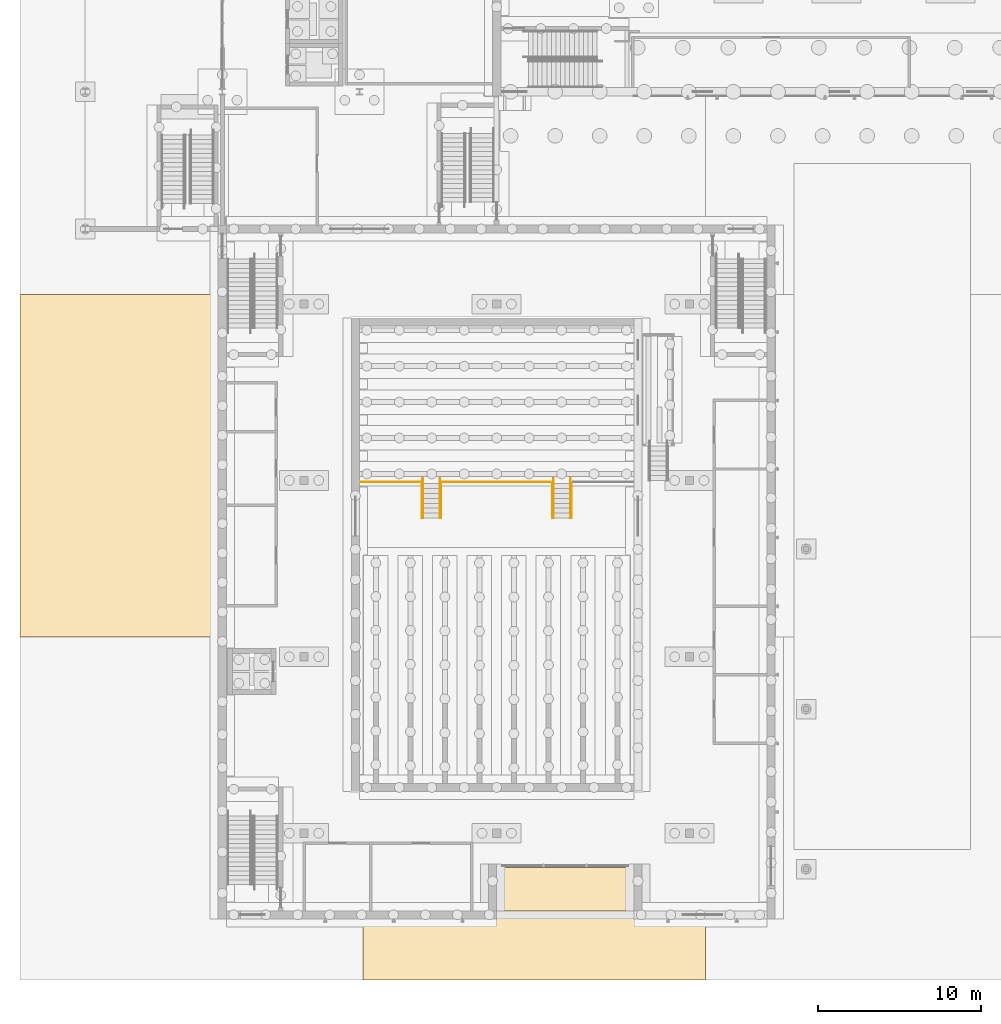
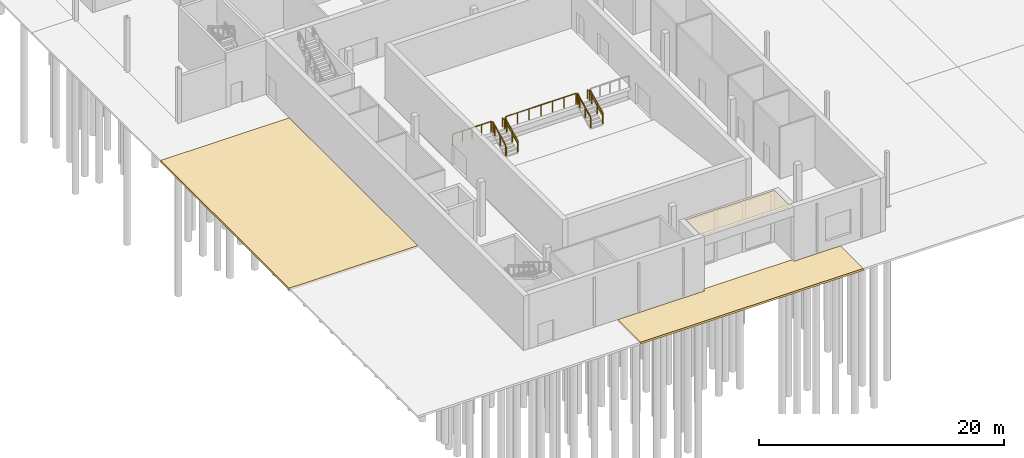
# One storey, part 95 of 127: 10 railings, 3 coverings.
"""IFC4 building model written with IfcOpenShell, lengths in metres."""

from ifc_helpers import new_model, si_unit, direction, frame, origin, origin_2d, place, context, subcontext, project, spatial, polyline, circle, outline, extrude, material, layer, layer_set, type_object, element, save


model = new_model("IFC4")

# Units and contexts
model_context = context("Model", 3, precision=1e-05, world=origin(), true_north=direction((0.0, 1.0)))
body_context = subcontext(model_context, "Body", "Model", "MODEL_VIEW")
ifc_project = project(units=[si_unit("LENGTHUNIT", "METRE"), si_unit("AREAUNIT", "SQUARE_METRE"), si_unit("VOLUMEUNIT", "CUBIC_METRE"), si_unit("PLANEANGLEUNIT", "RADIAN"), si_unit("MASSUNIT", "GRAM", prefix="KILO")], contexts=[model_context])

# Site, building, storey
site_placement = place(None, origin())
site = spatial("IfcSite", under=ifc_project, at=site_placement, CompositionType="ELEMENT")
building_placement = place(site_placement, origin())
building = spatial("IfcBuilding", under=site, at=building_placement, Name="Ljudholm Concert House", CompositionType="ELEMENT")
storey_placement = place(building_placement, origin())
storey = spatial("IfcBuildingStorey", under=building, at=storey_placement, Name="L00", CompositionType="ELEMENT", Elevation=0.0)

# Covering
ifc_material_1 = material(Name="Aluminium soffit panels, timber-grain PVDF finish", Category="aluminium")
ifc_layer_1 = layer(ifc_material_1, 0.030029296875)
ifc_layer_set_1 = layer_set([ifc_layer_1], Name="Aluminium soffit panels, timber-grain PVDF finish")
covering_type_1 = type_object("IfcCoveringType", Name="ALUMINIUM SOFFIT PANELS, TIMBER-GRAIN PVDF FINISH CEILING 30", PredefinedType="CEILING", material=ifc_layer_set_1)
covering_1_placement = place(storey_placement, frame((0.0, 0.0, 5.1201171875)))
element("IfcCovering", 1, at=covering_1_placement, inside=storey, type_object=covering_type_1, Name="Porch soffit", PredefinedType="CEILING", context=body_context, shape_type="SweptSolid", body=[
    extrude(outline(polyline([(29.199951171875, 4.25), (37.60009765625, 4.25), (37.60009765625, 6.89990234375), (29.199951171875, 6.89990234375), (29.199951171875, 4.25)])), origin(), (0.0, 0.0, 1.0), 0.02978515625),
])

# Railings
ifc_material_2 = material(Name="Steel ASTM A36", Category="steel")
railing_type_1 = type_object("IfcRailingType", Name="GUARD 1100", PredefinedType="GUARDRAIL", material=ifc_material_2)
railing_1_placement = place(storey_placement, frame((20.89990234375, 30.5, 1.199951171875)))
element("IfcRailing", 2, at=railing_1_placement, inside=storey, type_object=railing_type_1, Name="Platform guard", PredefinedType="GUARDRAIL", context=body_context, shape_type="SweptSolid", body=[
    extrude(circle(Radius=0.02490234375, at=origin_2d()), frame((0.0, 0.0, 1.0751953125), z_axis=(1.0, 0.0, 0.0), x_axis=(0.0, 1.0, 0.0)), (0.0, 0.0, 1.0), 3.60009765625),
    extrude(circle(Radius=0.02099609375, at=origin_2d()), origin(), (0.0, 0.0, 1.0), 1.050048828125),
    extrude(circle(Radius=0.02099609375, at=origin_2d()), frame((0.89990234375, 0.0, 0.0)), (0.0, 0.0, 1.0), 1.050048828125),
    extrude(circle(Radius=0.02099609375, at=origin_2d()), frame((1.800048828125, 0.0, 0.0)), (0.0, 0.0, 1.0), 1.050048828125),
    extrude(circle(Radius=0.02099609375, at=origin_2d()), frame((2.7001953125, 0.0, 0.0)), (0.0, 0.0, 1.0), 1.050048828125),
    extrude(circle(Radius=0.02099609375, at=origin_2d()), frame((3.60009765625, 0.0, 0.0)), (0.0, 0.0, 1.0), 1.050048828125),
])
railing_2_placement = place(storey_placement, frame((25.89990234375, 30.5, 1.199951171875)))
element("IfcRailing", 3, at=railing_2_placement, inside=storey, type_object=railing_type_1, Name="Platform guard", PredefinedType="GUARDRAIL", context=body_context, shape_type="SweptSolid", body=[
    extrude(circle(Radius=0.02490234375, at=origin_2d()), frame((0.0, 0.0, 1.0751953125), z_axis=(1.0, 0.0, 0.0), x_axis=(0.0, 1.0, 0.0)), (0.0, 0.0, 1.0), 6.60009765625),
    extrude(circle(Radius=0.02099609375, at=origin_2d()), origin(), (0.0, 0.0, 1.0), 1.050048828125),
    extrude(circle(Radius=0.02099609375, at=origin_2d()), frame((1.10009765625, 0.0, 0.0)), (0.0, 0.0, 1.0), 1.050048828125),
    extrude(circle(Radius=0.02099609375, at=origin_2d()), frame((2.199951171875, 0.0, 0.0)), (0.0, 0.0, 1.0), 1.050048828125),
    extrude(circle(Radius=0.02099609375, at=origin_2d()), frame((3.300048828125, 0.0, 0.0)), (0.0, 0.0, 1.0), 1.050048828125),
    extrude(circle(Radius=0.02099609375, at=origin_2d()), frame((4.400146484375, 0.0, 0.0)), (0.0, 0.0, 1.0), 1.050048828125),
    extrude(circle(Radius=0.02099609375, at=origin_2d()), frame((5.5, 0.0, 0.0)), (0.0, 0.0, 1.0), 1.050048828125),
    extrude(circle(Radius=0.02099609375, at=origin_2d()), frame((6.60009765625, 0.0, 0.0)), (0.0, 0.0, 1.0), 1.050048828125),
])
for number, where, name in (
    (4, (24.625, 28.300048828125, 0.14990234375), "Guard"),
    (5, (25.77490234375, 28.300048828125, 0.14990234375), "Guard"),
    (6, (32.625, 28.300048828125, 0.14990234375), "Guard"),
    (7, (33.77490234375, 28.300048828125, 0.14990234375), "Guard"),
):
    element("IfcRailing", number, at=place(storey_placement, frame(where)), inside=storey, type_object=railing_type_1, Name=name, PredefinedType="GUARDRAIL", context=body_context, shape_type="SweptSolid", body=[
        extrude(circle(Radius=0.02490234375, at=origin_2d()), frame((0.0, 0.0, 1.0751953125), z_axis=(0.0, 0.894330118379, 0.447407688088), x_axis=(-1.0, 0.0, 0.0)), (0.0, 0.0, 1.0), 1.00634765625),
        extrude(circle(Radius=0.02490234375, at=origin_2d()), frame((0.0, 0.89990234375, 1.525390625), z_axis=(0.0, 0.894475706251, 0.447116551837), x_axis=(-1.0, 0.0, 0.0)), (0.0, 0.0, 1.0), 1.00634765625),
        extrude(circle(Radius=0.02490234375, at=origin_2d()), frame((0.0, 1.800048828125, 1.97509765625), z_axis=(0.0, 0.894427191, 0.4472135955), x_axis=(-1.0, 0.0, 0.0)), (0.0, 0.0, 1.0), 0.335205078125),
        extrude(circle(Radius=0.02099609375, at=origin_2d()), origin(), (0.0, 0.0, 1.0), 1.050048828125),
        extrude(circle(Radius=0.02099609375, at=origin_2d()), frame((0.0, 0.89990234375, 0.4501953125)), (0.0, 0.0, 1.0), 1.050048828125),
        extrude(circle(Radius=0.02099609375, at=origin_2d()), frame((0.0, 1.800048828125, 0.900146484375)), (0.0, 0.0, 1.0), 1.050048828125),
        extrude(circle(Radius=0.02099609375, at=origin_2d()), frame((0.0, 2.099853515625, 1.050048828125)), (0.0, 0.0, 1.0), 1.050048828125),
    ])
ifc_material_3 = material(Name="Steel ASTM A36", Category="steel")
railing_type_2 = type_object("IfcRailingType", Name="HANDRAIL 900", PredefinedType="HANDRAIL", material=ifc_material_3)
for number, where, name in (
    (8, (24.675048828125, 28.300048828125, 0.14990234375), "Handrail"),
    (9, (25.72509765625, 28.300048828125, 0.14990234375), "Handrail"),
    (10, (32.675048828125, 28.300048828125, 0.14990234375), "Handrail"),
    (11, (33.72509765625, 28.300048828125, 0.14990234375), "Handrail"),
):
    element("IfcRailing", number, at=place(storey_placement, frame(where)), inside=storey, type_object=railing_type_2, Name=name, PredefinedType="HANDRAIL", context=body_context, shape_type="SweptSolid", body=[
        extrude(circle(Radius=0.0224609375, at=origin_2d()), frame((0.0, 0.0, 0.87744140625), z_axis=(0.0, 0.894330118379, 0.447407688088), x_axis=(-1.0, 0.0, 0.0)), (0.0, 0.0, 1.0), 1.00634765625),
        extrude(circle(Radius=0.0224609375, at=origin_2d()), frame((0.0, 0.89990234375, 1.32763671875), z_axis=(0.0, 0.894475706251, 0.447116551837), x_axis=(-1.0, 0.0, 0.0)), (0.0, 0.0, 1.0), 1.00634765625),
        extrude(circle(Radius=0.0224609375, at=origin_2d()), frame((0.0, 1.800048828125, 1.777587890625), z_axis=(0.0, 0.894427191, 0.4472135955), x_axis=(-1.0, 0.0, 0.0)), (0.0, 0.0, 1.0), 0.335205078125),
        extrude(circle(Radius=0.0224609375, at=origin_2d()), frame((0.0, 2.099853515625, 1.927490234375), z_axis=(0.0, 1.0, 0.0), x_axis=(-1.0, 0.0, 0.0)), (0.0, 0.0, 1.0), 0.300048828125),
        extrude(circle(Radius=0.02099609375, at=origin_2d()), origin(), (0.0, 0.0, 1.0), 0.85498046875),
        extrude(circle(Radius=0.02099609375, at=origin_2d()), frame((0.0, 0.89990234375, 0.4501953125)), (0.0, 0.0, 1.0), 0.85498046875),
        extrude(circle(Radius=0.02099609375, at=origin_2d()), frame((0.0, 1.800048828125, 0.900146484375)), (0.0, 0.0, 1.0), 0.85498046875),
        extrude(circle(Radius=0.02099609375, at=origin_2d()), frame((0.0, 2.099853515625, 1.050048828125)), (0.0, 0.0, 1.0), 0.85498046875),
        extrude(circle(Radius=0.02099609375, at=origin_2d()), frame((0.0, 2.39990234375, 1.050048828125)), (0.0, 0.0, 1.0), 0.85498046875),
    ])

# Coverings
ifc_material_4 = material(Name="Precast concrete pavers on compacted sand bed", Category="concrete")
ifc_layer_2 = layer(ifc_material_4, 0.199951171875)
ifc_layer_set_2 = layer_set([ifc_layer_2], Name="Precast concrete pavers on compacted sand bed")
covering_type_2 = type_object("IfcCoveringType", Name="PRECAST CONCRETE PAVERS ON COMPACTED SAND BED PAVING 200", PredefinedType="USERDEFINED", material=ifc_layer_set_2)
covering_2_placement = place(storey_placement, frame((0.0, 0.0, -0.199951171875)))
element("IfcCovering", 12, at=covering_2_placement, inside=storey, type_object=covering_type_2, Name="Paving", ObjectType="PAVING", PredefinedType="USERDEFINED", context=body_context, shape_type="SweptSolid", body=[
    extrude(outline(polyline([(21.0, 0.010009765625), (21.0, 3.72998046875), (29.179931640625, 3.72998046875), (29.187744140625, 3.7314453125), (29.194091796875, 3.73583984375), (29.19775390625, 3.740478515625), (29.199951171875, 3.748046875), (29.199951171875, 4.0), (37.60009765625, 4.0), (37.60009765625, 3.748046875), (37.6015625, 3.742431640625), (37.60595703125, 3.73583984375), (37.610595703125, 3.732421875), (37.617919921875, 3.72998046875), (42.0, 3.72998046875), (42.0, 0.010009765625), (21.0, 0.010009765625)])), origin(), (0.0, 0.0, 1.0), 0.199951171875),
])
covering_3_placement = place(storey_placement, frame((0.0, 0.0, -0.199951171875)))
element("IfcCovering", 13, at=covering_3_placement, inside=storey, type_object=covering_type_2, Name="Paving", ObjectType="PAVING", PredefinedType="USERDEFINED", context=body_context, shape_type="SweptSolid", body=[
    extrude(outline(polyline([(0.010009765625, 42.0), (12.1298828125, 42.0), (12.1298828125, 21.0), (0.010009765625, 21.0), (0.010009765625, 42.0)])), origin(), (0.0, 0.0, 1.0), 0.199951171875),
])

save(model, "model.ifc")
